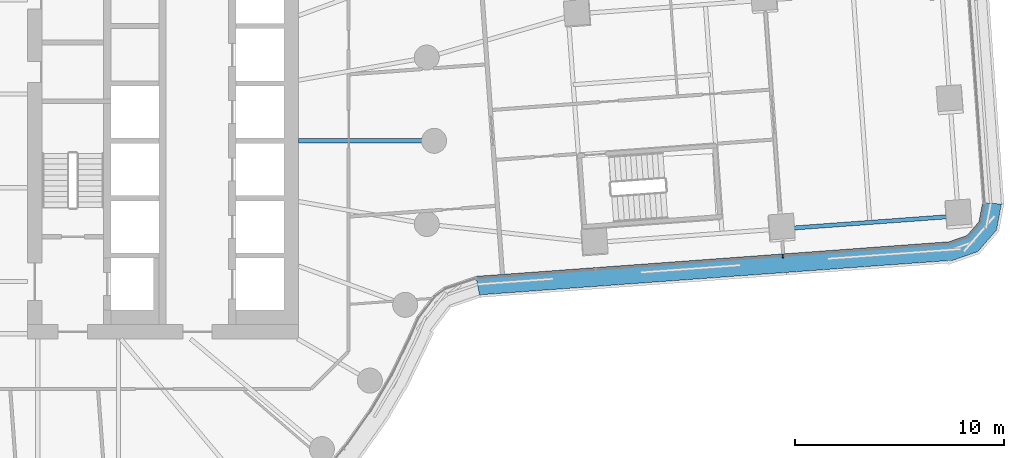
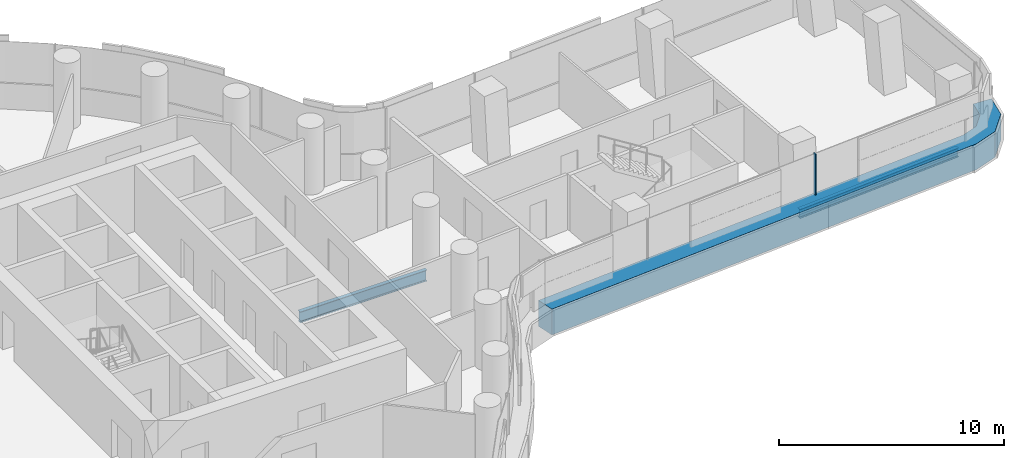
# One storey, part 10 of 31: 2 beams, 2 members, 1 element without a shape of its own.
"""IFC4 building model written with IfcOpenShell, lengths in metres."""

from ifc_helpers import new_model, si_unit, direction, frame, origin, origin_2d, place, context, subcontext, project, spatial, polyline, rectangle, i_section, outline, extrude, material, layer, layer_set, material_profile, profile_set, type_object, element, aggregate, save


model = new_model("IFC4")

# Units and contexts
model_context = context("Model", 3, precision=1e-05, world=origin(), true_north=direction((0.0, 1.0)))
body_context = subcontext(model_context, "Body", "Model", "MODEL_VIEW")
ifc_project = project(units=[si_unit("LENGTHUNIT", "METRE"), si_unit("AREAUNIT", "SQUARE_METRE"), si_unit("VOLUMEUNIT", "CUBIC_METRE"), si_unit("PLANEANGLEUNIT", "RADIAN"), si_unit("MASSUNIT", "GRAM", prefix="KILO")], contexts=[model_context])

# Site, building, storey
site_placement = place(None, origin())
site = spatial("IfcSite", under=ifc_project, at=site_placement, CompositionType="ELEMENT")
building_placement = place(site_placement, origin())
building = spatial("IfcBuilding", under=site, at=building_placement, Name="Tamarind Cross Interchange Tower", CompositionType="ELEMENT")
storey_placement = place(building_placement, frame((0.0, 0.0, 49.0)))
storey = spatial("IfcBuildingStorey", under=building, at=storey_placement, Name="L10", CompositionType="ELEMENT", Elevation=49.0)

# Beams
ifc_material_1 = material(Name="Steel Q355B", Category="steel")
ifc_material_profile_1 = material_profile(ifc_material_1, i_section(OverallWidth=0.198974609375, OverallDepth=0.49609375, WebThickness=0.009033203125, FlangeThickness=0.013916015625, FilletRadius=0.012939453125, at=origin_2d()), Name="HN 496x199x9x14")
ifc_profile_set_1 = profile_set([ifc_material_profile_1], Name="Steel Q355B")
beam_type_1 = type_object("IfcBeamType", Name="Composite beam HN 496x199x9x14 Q355B", PredefinedType="BEAM", material=ifc_profile_set_1)
beam_1_placement = place(storey_placement, frame((48.14501953125, -3.604248046875, -0.387939453125), z_axis=(-0.997341202041, -0.072873360777, 0.0), x_axis=(0.072873360777, -0.997341202041, 0.0)))
element("IfcBeam", 1, at=beam_1_placement, inside=storey, type_object=beam_type_1, Name="Beam E-edgeem5", PredefinedType="BEAM", context=body_context, shape_type="SweptSolid", body=[
    extrude(i_section(OverallWidth=0.198974609375, OverallDepth=0.49609375, WebThickness=0.009033203125, FlangeThickness=0.013916015625, FilletRadius=0.012939453125, at=origin_2d()), origin(), (0.0, 0.0, 1.0), 8.512939453125),
])
ifc_material_profile_2 = material_profile(ifc_material_1, i_section(OverallWidth=0.198974609375, OverallDepth=0.595947265625, WebThickness=0.010009765625, FlangeThickness=0.014892578125, FilletRadius=0.012939453125, at=origin_2d()), Name="HN 596x199x10x15")
ifc_profile_set_2 = profile_set([ifc_material_profile_2], Name="Steel Q355B")
beam_type_2 = type_object("IfcBeamType", Name="Composite beam HN 596x199x10x15 Q355B", PredefinedType="BEAM", material=ifc_profile_set_2)
beam_2_placement = place(storey_placement, frame((23.0, 0.0, -0.43798828125), z_axis=(-1.0, 0.0, 0.0), x_axis=(0.0, -1.0, 0.0)))
element("IfcBeam", 2, at=beam_2_placement, inside=storey, type_object=beam_type_2, Name="Beam HH00", PredefinedType="BEAM", context=body_context, shape_type="SweptSolid", body=[
    extrude(i_section(OverallWidth=0.198974609375, OverallDepth=0.595947265625, WebThickness=0.010009765625, FlangeThickness=0.014892578125, FilletRadius=0.012939453125, at=origin_2d()), origin(), (0.0, 0.0, 1.0), 6.5),
])

# Curtain wall, members
ifc_material_2 = material(Name="Aluminium 6063-T6", Category="aluminium")
ifc_layer = layer(ifc_material_2, 0.159912109375)
ifc_layer_set = layer_set([ifc_layer], Name="Aluminium 6063-T6")
curtain_wall_type = type_object("IfcCurtainWallType", Name="Office curtain wall, 9.0 m bays", PredefinedType="NOTDEFINED", material=ifc_layer_set)
curtain_wall_placement = place(storey_placement, origin())
curtain_wall = element("IfcCurtainWall", 3, at=curtain_wall_placement, inside=storey, type_object=curtain_wall_type, Name="CWS-L10-11", PredefinedType="NOTDEFINED")
ifc_material_3 = material(Name="Aluminium and insulated spandrel panel", Category="aluminium")
member_type_1 = type_object("IfcMemberType", Name="Floor-edge blade transom", PredefinedType="USERDEFINED", material=ifc_material_3)
member_1_placement = place(storey_placement, origin())
member_1 = element("IfcMember", 4, at=member_1_placement, type_object=member_type_1, Name="CWT-L10-11", ObjectType="TRANSOM", PredefinedType="USERDEFINED", context=body_context, shape_type="SweptSolid", body=[
    extrude(outline(polyline([(24.999267578125, -6.498779296875), (47.6943359375, -4.84033203125), (48.558837890625, -4.53955078125), (49.130615234375, -3.8779296875), (49.302490234375, -2.978759765625), (50.208740234375, -3.03125), (49.96923828125, -4.28369140625), (49.082275390625, -5.310546875), (47.878173828125, -5.729248046875), (25.180419921875, -7.387939453125), (24.999267578125, -6.498779296875)])), origin(), (0.0, 0.0, 1.0), 1.39990234375),
])
ifc_material_profile_3 = material_profile(ifc_material_2, rectangle(XDim=0.06005859375, YDim=0.159912109375, at=origin_2d()), Name="Mullion CW1")
ifc_profile_set_3 = profile_set([ifc_material_profile_3], Name="Aluminium 6063-T6")
member_type_2 = type_object("IfcMemberType", Name="Mullion CW1", PredefinedType="MULLION", material=ifc_profile_set_3)
member_2_placement = place(storey_placement, frame((39.723388671875, -5.52294921875, 1.39990234375), z_axis=(0.0, 0.0, 1.0), x_axis=(0.997340999058, 0.072876138746, 0.0)))
member_2 = element("IfcMember", 5, at=member_2_placement, type_object=member_type_2, Name="CWM-L10-11-02", PredefinedType="MULLION", context=body_context, shape_type="SweptSolid", body=[
    extrude(rectangle(XDim=0.06005859375, YDim=0.159912109375, at=origin_2d()), origin(), (0.0, 0.0, 1.0), 2.210205078125),
])
aggregate(curtain_wall, [member_2, member_1])

save(model, "model.ifc")
